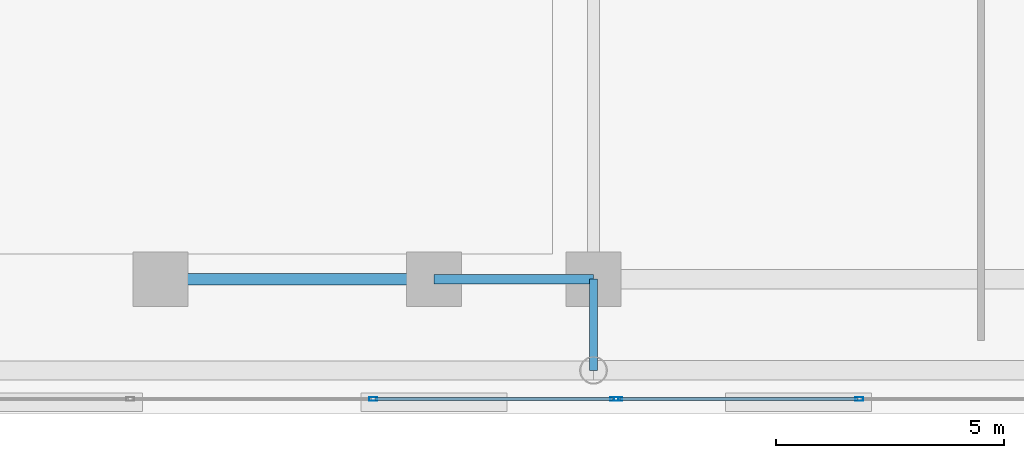
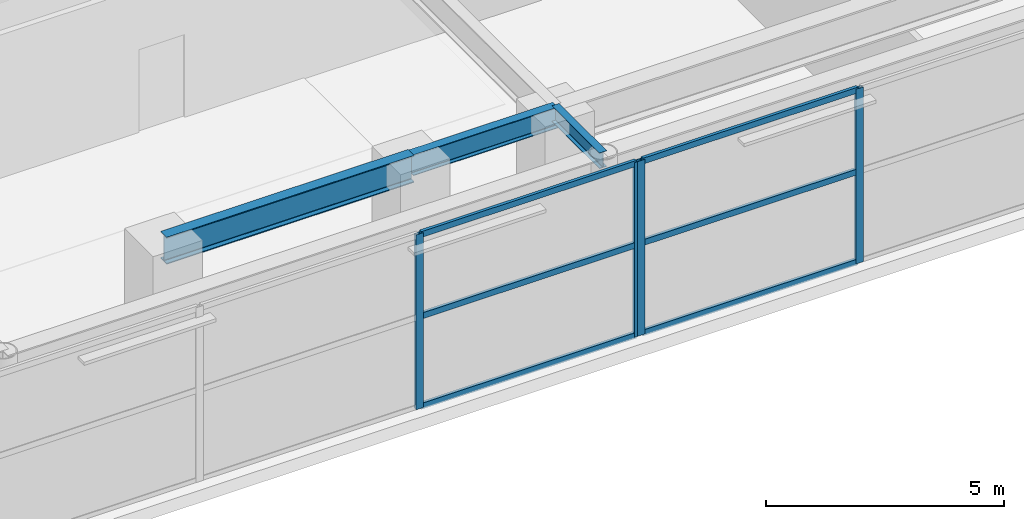
# One storey, part 5 of 28: 10 members, 3 beams, 2 elements without a shape of their own.
"""IFC4 building model written with IfcOpenShell, lengths in metres."""

from ifc_helpers import new_model, si_unit, direction, frame, origin, origin_2d, place, context, subcontext, project, spatial, hollow_rectangle, i_section, extrude, source, transform, mapped, material, layer, layer_set, material_profile, profile_set, type_object, element, aggregate, save


model = new_model("IFC4")

# Units and contexts
model_context = context("Model", 3, precision=1e-05, world=origin(), true_north=direction((0.0, 1.0)))
body_context = subcontext(model_context, "Body", "Model", "MODEL_VIEW")
ifc_project = project(units=[si_unit("LENGTHUNIT", "METRE"), si_unit("AREAUNIT", "SQUARE_METRE"), si_unit("VOLUMEUNIT", "CUBIC_METRE"), si_unit("PLANEANGLEUNIT", "RADIAN"), si_unit("MASSUNIT", "GRAM", prefix="KILO")], contexts=[model_context])

# Site, building, storey
site_placement = place(None, origin())
site = spatial("IfcSite", under=ifc_project, at=site_placement, CompositionType="ELEMENT")
building_placement = place(site_placement, origin())
building = spatial("IfcBuilding", under=site, at=building_placement, Name="Ocotamira Hotel", CompositionType="ELEMENT")
storey_placement = place(building_placement, frame((0.0, 0.0, 24.0)))
storey = spatial("IfcBuildingStorey", under=building, at=storey_placement, Name="L05", CompositionType="ELEMENT", Elevation=24.0)

# Beams
ifc_material_1 = material(Name="Steel ASTM A992 Grade 50", Category="steel")
ifc_material_profile_1 = material_profile(ifc_material_1, i_section(OverallWidth=0.256103515625, OverallDepth=0.693115234375, WebThickness=0.014404296875, FlangeThickness=0.023681640625, FilletRadius=0.01611328125, at=origin_2d()), Name="W27X114")
ifc_profile_set_1 = profile_set([ifc_material_profile_1], Name="Steel ASTM A992 Grade 50")
beam_type_1 = type_object("IfcBeamType", Name="BM-PRIM-W27X114", PredefinedType="BEAM", material=ifc_profile_set_1)
shared_shape_1 = source(origin(), body_context, "Body", "SweptSolid", [
    extrude(i_section(OverallWidth=0.256103515625, OverallDepth=0.693115234375, WebThickness=0.014404296875, FlangeThickness=0.023681640625, FilletRadius=0.01611328125, at=origin_2d()), origin(), (0.0, 0.0, 1.0), 6.0),
])
beam_1_placement = place(storey_placement, frame((14.0, 2.949951171875, 4.133544921875), z_axis=(1.0, 0.0, 0.0), x_axis=(0.0, 1.0, 0.0)))
element("IfcBeam", 1, at=beam_1_placement, inside=storey, type_object=beam_type_1, Name="L05 Girder Y2.95 X14-20", PredefinedType="BEAM", context=body_context, shape_type="MappedRepresentation", body=[
    mapped(shared_shape_1, transform((0.0, 0.0, 0.0), scale=1.0)),
])
ifc_material_profile_2 = material_profile(ifc_material_1, i_section(OverallWidth=0.2099609375, OverallDepth=0.537109375, WebThickness=0.010986328125, FlangeThickness=0.017333984375, FilletRadius=0.012939453125, at=origin_2d()), Name="W21X68")
ifc_profile_set_2 = profile_set([ifc_material_profile_2], Name="Steel ASTM A992 Grade 50")
beam_type_2 = type_object("IfcBeamType", Name="BM-SEC-W21X68", PredefinedType="JOIST", material=ifc_profile_set_2)
shared_shape_2 = source(origin(), body_context, "Body", "SweptSolid", [
    extrude(i_section(OverallWidth=0.2099609375, OverallDepth=0.537109375, WebThickness=0.010986328125, FlangeThickness=0.017333984375, FilletRadius=0.012939453125, at=origin_2d()), origin(), (0.0, 0.0, 1.0), 3.5),
])
beam_2_placement = place(storey_placement, frame((20.0, 2.949951171875, 4.21142578125), z_axis=(1.0, 0.0, 0.0), x_axis=(0.0, 1.0, 0.0)))
element("IfcBeam", 2, at=beam_2_placement, inside=storey, type_object=beam_type_2, Name="L05 Girder Y2.95 X20-23.5", PredefinedType="JOIST", context=body_context, shape_type="MappedRepresentation", body=[
    mapped(shared_shape_2, transform((0.0, 0.0, 0.0), scale=1.0)),
])
ifc_material_profile_3 = material_profile(ifc_material_1, i_section(OverallWidth=0.177978515625, OverallDepth=0.403076171875, WebThickness=0.007568359375, FlangeThickness=0.010986328125, FilletRadius=0.010009765625, at=origin_2d()), Name="W16X36")
ifc_profile_set_3 = profile_set([ifc_material_profile_3], Name="Steel ASTM A992 Grade 50")
beam_type_3 = type_object("IfcBeamType", Name="BM-SEC-W16X36", PredefinedType="JOIST", material=ifc_profile_set_3)
shared_shape_3 = source(origin(), body_context, "Body", "SweptSolid", [
    extrude(i_section(OverallWidth=0.177978515625, OverallDepth=0.403076171875, WebThickness=0.007568359375, FlangeThickness=0.010986328125, FilletRadius=0.010009765625, at=origin_2d()), origin(), (0.0, 0.0, 1.0), 2.0),
])
beam_3_placement = place(storey_placement, frame((23.5, 0.949951171875, 4.278564453125), z_axis=(0.0, 1.0, 0.0), x_axis=(-1.0, 0.0, 0.0)))
element("IfcBeam", 3, at=beam_3_placement, inside=storey, type_object=beam_type_3, Name="L05 Beam X23.5 Y0.95-2.95", PredefinedType="JOIST", context=body_context, shape_type="MappedRepresentation", body=[
    mapped(shared_shape_3, transform((0.0, 0.0, 0.0), scale=1.0)),
])

# Curtain wall, members
ifc_material_2 = material(Name="Anodised pale-metal aluminium and solar glass", Category="aluminium")
ifc_layer = layer(ifc_material_2, 0.219970703125)
ifc_layer_set = layer_set([ifc_layer], Name="Anodised pale-metal aluminium and solar glass")
curtain_wall_type = type_object("IfcCurtainWallType", Name="CW-SYS1-POD", PredefinedType="NOTDEFINED", material=ifc_layer_set)
curtain_wall_1_placement = place(storey_placement, origin())
curtain_wall_1 = element("IfcCurtainWall", 4, at=curtain_wall_1_placement, inside=storey, type_object=curtain_wall_type, Name="L05 Curtain Wall CW-1 CW-L05-S1", PredefinedType="NOTDEFINED")
ifc_material_3 = material(Name="Anodised pale-metal aluminium 6063-T6", Category="aluminium")
ifc_material_profile_4 = material_profile(ifc_material_3, hollow_rectangle(XDim=0.080078125, YDim=0.179931640625, WallThickness=0.006103515625, at=origin_2d()), Name="HSS180X80X6")
ifc_profile_set_4 = profile_set([ifc_material_profile_4], Name="Anodised pale-metal aluminium 6063-T6")
member_type_1 = type_object("IfcMemberType", Name="CWM-180X75", PredefinedType="MULLION", material=ifc_profile_set_4)
shared_shape_4 = source(origin(), body_context, "Body", "SweptSolid", [
    extrude(hollow_rectangle(XDim=0.080078125, YDim=0.179931640625, WallThickness=0.006103515625, at=origin_2d()), origin(), (0.0, 0.0, 1.0), 4.47998046875),
])
member_1_placement = place(storey_placement, frame((18.666748046875, 0.320068359375, 0.0), z_axis=(0.0, 0.0, 1.0), x_axis=(0.0, 1.0, 0.0)))
member_1 = element("IfcMember", 5, at=member_1_placement, type_object=member_type_1, Name="CW-1 mullion 3", PredefinedType="MULLION", context=body_context, shape_type="MappedRepresentation", body=[
    mapped(shared_shape_4, transform((0.0, 0.0, 0.0), scale=1.0)),
])
member_2_placement = place(storey_placement, frame((23.9599609375, 0.320068359375, 0.0), z_axis=(0.0, 0.0, 1.0), x_axis=(0.0, 1.0, 0.0)))
member_2 = element("IfcMember", 6, at=member_2_placement, type_object=member_type_1, Name="CW-1 mullion 4", PredefinedType="MULLION", context=body_context, shape_type="MappedRepresentation", body=[
    mapped(shared_shape_4, transform((0.0, 0.0, 0.0), scale=1.0)),
])

curtain_wall_2_placement = place(storey_placement, origin())
curtain_wall_2 = element("IfcCurtainWall", 7, at=curtain_wall_2_placement, inside=storey, type_object=curtain_wall_type, Name="L05 Curtain Wall CW-1 CW-L05-S2", PredefinedType="NOTDEFINED")
member_3_placement = place(storey_placement, frame((24.0400390625, 0.320068359375, 0.0), z_axis=(0.0, 0.0, 1.0), x_axis=(0.0, 1.0, 0.0)))
member_3 = element("IfcMember", 8, at=member_3_placement, type_object=member_type_1, Name="CW-1 mullion 1", PredefinedType="MULLION", context=body_context, shape_type="MappedRepresentation", body=[
    mapped(shared_shape_4, transform((0.0, 0.0, 0.0), scale=1.0)),
])
member_4_placement = place(storey_placement, frame((29.333251953125, 0.320068359375, 0.0), z_axis=(0.0, 0.0, 1.0), x_axis=(0.0, 1.0, 0.0)))
member_4 = element("IfcMember", 9, at=member_4_placement, type_object=member_type_1, Name="CW-1 mullion 2", PredefinedType="MULLION", context=body_context, shape_type="MappedRepresentation", body=[
    mapped(shared_shape_4, transform((0.0, 0.0, 0.0), scale=1.0)),
])

# Member
ifc_material_profile_5 = material_profile(ifc_material_3, hollow_rectangle(XDim=0.074951171875, YDim=0.14990234375, WallThickness=0.006103515625, at=origin_2d()), Name="HSS150X75X6")
ifc_profile_set_5 = profile_set([ifc_material_profile_5], Name="Anodised pale-metal aluminium 6063-T6")
member_type_2 = type_object("IfcMemberType", Name="CWT-150X75", PredefinedType="USERDEFINED", material=ifc_profile_set_5)
shared_shape_5 = source(origin(), body_context, "Body", "SweptSolid", [
    extrude(hollow_rectangle(XDim=0.074951171875, YDim=0.14990234375, WallThickness=0.006103515625, at=origin_2d()), origin(), (0.0, 0.0, 1.0), 5.213134765625),
])
member_5_placement = place(storey_placement, frame((18.706787109375, 0.320068359375, 0.03759765625), z_axis=(1.0, 0.0, 0.0), x_axis=(0.0, 1.0, 0.0)))
member_5 = element("IfcMember", 10, at=member_5_placement, type_object=member_type_2, Name="CW-1 transom 3.1", ObjectType="TRANSOM", PredefinedType="USERDEFINED", context=body_context, shape_type="MappedRepresentation", body=[
    mapped(shared_shape_5, transform((0.0, 0.0, 0.0), scale=1.0)),
])

member_6_placement = place(storey_placement, frame((18.706787109375, 0.320068359375, 2.35009765625), z_axis=(1.0, 0.0, 0.0), x_axis=(0.0, 1.0, 0.0)))
member_6 = element("IfcMember", 11, at=member_6_placement, type_object=member_type_2, Name="CW-1 transom 3.2", ObjectType="TRANSOM", PredefinedType="USERDEFINED", context=body_context, shape_type="MappedRepresentation", body=[
    mapped(shared_shape_5, transform((0.0, 0.0, 0.0), scale=1.0)),
])

member_7_placement = place(storey_placement, frame((18.706787109375, 0.320068359375, 4.4423828125), z_axis=(1.0, 0.0, 0.0), x_axis=(0.0, 1.0, 0.0)))
member_7 = element("IfcMember", 12, at=member_7_placement, type_object=member_type_2, Name="CW-1 transom 3.3", ObjectType="TRANSOM", PredefinedType="USERDEFINED", context=body_context, shape_type="MappedRepresentation", body=[
    mapped(shared_shape_5, transform((0.0, 0.0, 0.0), scale=1.0)),
])

aggregate(curtain_wall_1, [member_1, member_2, member_5, member_6, member_7])

member_8_placement = place(storey_placement, frame((24.080078125, 0.320068359375, 0.03759765625), z_axis=(1.0, 0.0, 0.0), x_axis=(0.0, 1.0, 0.0)))
member_8 = element("IfcMember", 13, at=member_8_placement, type_object=member_type_2, Name="CW-1 transom 1.1", ObjectType="TRANSOM", PredefinedType="USERDEFINED", context=body_context, shape_type="MappedRepresentation", body=[
    mapped(shared_shape_5, transform((0.0, 0.0, 0.0), scale=1.0)),
])

member_9_placement = place(storey_placement, frame((24.080078125, 0.320068359375, 2.35009765625), z_axis=(1.0, 0.0, 0.0), x_axis=(0.0, 1.0, 0.0)))
member_9 = element("IfcMember", 14, at=member_9_placement, type_object=member_type_2, Name="CW-1 transom 1.2", ObjectType="TRANSOM", PredefinedType="USERDEFINED", context=body_context, shape_type="MappedRepresentation", body=[
    mapped(shared_shape_5, transform((0.0, 0.0, 0.0), scale=1.0)),
])

member_10_placement = place(storey_placement, frame((24.080078125, 0.320068359375, 4.4423828125), z_axis=(1.0, 0.0, 0.0), x_axis=(0.0, 1.0, 0.0)))
member_10 = element("IfcMember", 15, at=member_10_placement, type_object=member_type_2, Name="CW-1 transom 1.3", ObjectType="TRANSOM", PredefinedType="USERDEFINED", context=body_context, shape_type="MappedRepresentation", body=[
    mapped(shared_shape_5, transform((0.0, 0.0, 0.0), scale=1.0)),
])

aggregate(curtain_wall_2, [member_3, member_4, member_8, member_9, member_10])

save(model, "model.ifc")
